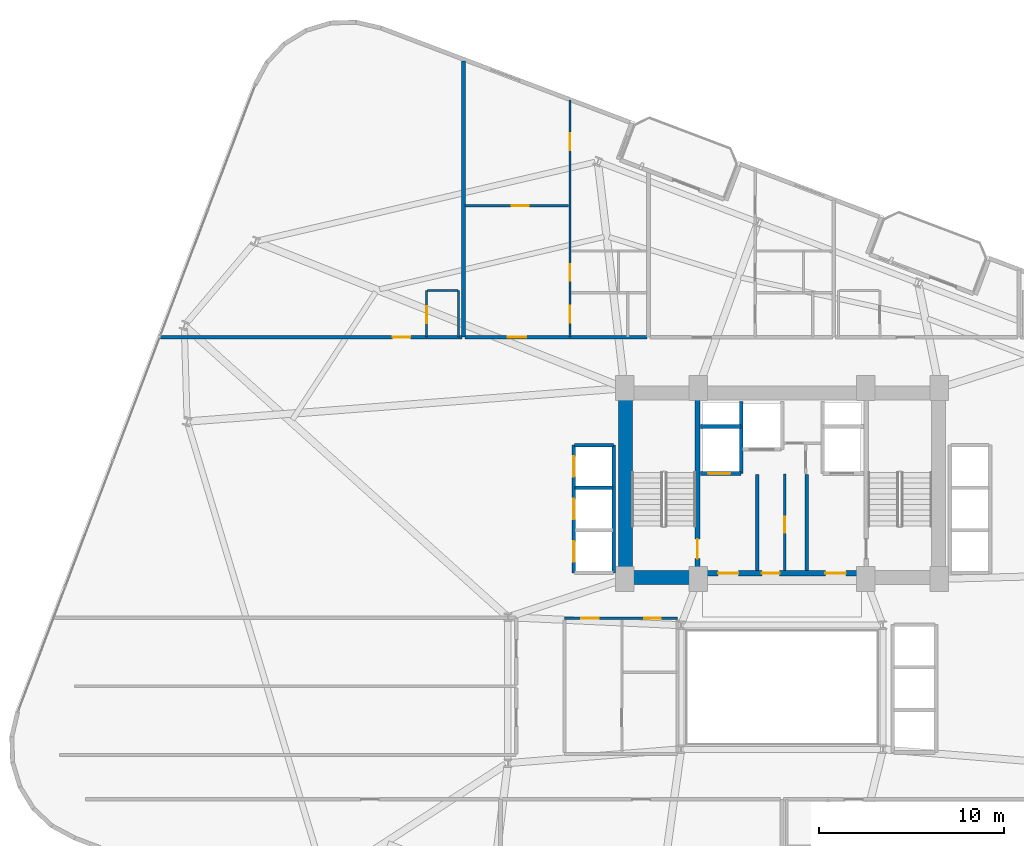
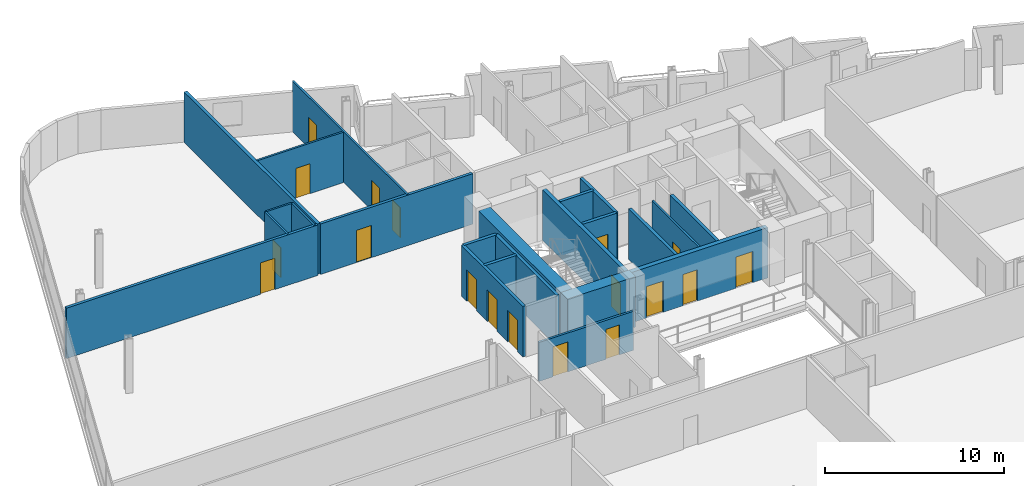
# One storey, part 18 of 24: 23 walls, 18 doors, 18 openings.
"""IFC4 building model written with IfcOpenShell, lengths in metres."""

from ifc_helpers import new_model, si_unit, direction, frame, frame_2d, origin, place, context, subcontext, project, spatial, rectangle, extrude, material, layer, layer_set, type_object, element, fill, save


model = new_model("IFC4")

# Units and contexts
model_context = context("Model", 3, precision=1e-05, world=origin(), true_north=direction((0.0, 1.0)))
body_context = subcontext(model_context, "Body", "Model", "MODEL_VIEW")
ifc_project = project(units=[si_unit("LENGTHUNIT", "METRE"), si_unit("AREAUNIT", "SQUARE_METRE"), si_unit("VOLUMEUNIT", "CUBIC_METRE"), si_unit("PLANEANGLEUNIT", "RADIAN"), si_unit("MASSUNIT", "GRAM", prefix="KILO")], contexts=[model_context])

# Site, building, storey
site_placement = place(None, origin())
site = spatial("IfcSite", under=ifc_project, at=site_placement, CompositionType="ELEMENT")
building_placement = place(site_placement, origin())
building = spatial("IfcBuilding", under=site, at=building_placement, Name="Varnelok Gate Tower", CompositionType="ELEMENT")
storey_placement = place(building_placement, frame((0.0, 0.0, 102.10009765625)))
storey = spatial("IfcBuildingStorey", under=building, at=storey_placement, Name="L25", CompositionType="ELEMENT", Elevation=102.10009765625)

# Wall, opening, door
ifc_material_1 = material(Name="Gypsum Plasterboard Acoustic Partition", Category="gypsum")
ifc_layer_1 = layer(ifc_material_1, 0.179931640625)
ifc_layer_set_1 = layer_set([ifc_layer_1], Name="Gypsum Plasterboard Acoustic Partition")
wall_type_1 = type_object("IfcWallType", Name="PW-CORR-180", PredefinedType="PARTITIONING", material=ifc_layer_set_1)
wall_1_placement = place(storey_placement, frame((5.64599609375, 41.800048828125, 0.0), z_axis=(0.0, 0.0, 1.0), x_axis=(1.0, 0.0, 0.0)))
wall_1 = element("IfcWall", 1, at=wall_1_placement, inside=storey, type_object=wall_type_1, Name="Interior Partition", PredefinedType="PARTITIONING", context=body_context, shape_type="SweptSolid", body=[
    extrude(rectangle(XDim=16.27392578125, YDim=0.179931640625, at=frame_2d((8.136962890625, 0.0))), origin(), (0.0, 0.0, 1.0), 3.449951171875),
])
opening_1_placement = place(wall_1_placement, frame((12.5341796875, 0.0, 0.0)))
opening_1 = element("IfcOpeningElement", 2, at=opening_1_placement, cuts=wall_1, Name="Opening D-HT", PredefinedType="OPENING", context=body_context, shape_type="SweptSolid", body=[
    extrude(rectangle(XDim=0.949951171875, YDim=2.14990234375, at=frame_2d((0.47509765625, 1.074951171875))), frame((0.0, 0.099853515625, 0.0), z_axis=(0.0, -1.0, 0.0), x_axis=(1.0, 0.0, 0.0)), (0.0, 0.0, 1.0), 0.199951171875),
])
ifc_material_2 = material(Name="Engineered Hardwood Timber", Category="wood")
door_type_1 = type_object("IfcDoorType", Name="DR-HTL-950", OperationType="NOTDEFINED", PredefinedType="DOOR", material=ifc_material_2)
door_1_placement = place(opening_1_placement, origin())
door_1 = element("IfcDoor", 3, at=door_1_placement, inside=storey, type_object=door_type_1, Name="L25 Guest Room 05 Entrance Door", OperationType="SINGLE_SWING_RIGHT", OverallHeight=2.14990234375, OverallWidth=0.949951171875, PredefinedType="DOOR", context=body_context, shape_type="SweptSolid", body=[
    extrude(rectangle(XDim=0.949951171875, YDim=2.14990234375, at=frame_2d((0.47509765625, 1.074951171875))), frame((0.0, 0.02490234375, 0.0), z_axis=(0.0, -1.0, 0.0), x_axis=(1.0, 0.0, 0.0)), (0.0, 0.0, 1.0), 0.050048828125),
])
fill(opening_1, door_1)

wall_2_placement = place(storey_placement, frame((22.080078125, 41.800048828125, 0.0), z_axis=(0.0, 0.0, 1.0), x_axis=(1.0, 0.0, 0.0)))
wall_2 = element("IfcWall", 4, at=wall_2_placement, inside=storey, type_object=wall_type_1, Name="Interior Partition", PredefinedType="PARTITIONING", context=body_context, shape_type="SweptSolid", body=[
    extrude(rectangle(XDim=9.83984375, YDim=0.179931640625, at=frame_2d((4.919921875, 0.0))), origin(), (0.0, 0.0, 1.0), 3.449951171875),
])
opening_2_placement = place(wall_2_placement, frame((2.302490234375, 0.0, 0.0)))
opening_2 = element("IfcOpeningElement", 5, at=opening_2_placement, cuts=wall_2, Name="Opening D-AP", PredefinedType="OPENING", context=body_context, shape_type="SweptSolid", body=[
    extrude(rectangle(XDim=1.0, YDim=2.199951171875, at=frame_2d((0.5, 1.10009765625))), frame((0.0, 0.099853515625, 0.0), z_axis=(0.0, -1.0, 0.0), x_axis=(1.0, 0.0, 0.0)), (0.0, 0.0, 1.0), 0.199951171875),
])
door_type_2 = type_object("IfcDoorType", Name="DR-APT-1000", OperationType="NOTDEFINED", PredefinedType="DOOR", material=ifc_material_2)
door_2_placement = place(opening_2_placement, origin())
door_2 = element("IfcDoor", 6, at=door_2_placement, inside=storey, type_object=door_type_2, Name="L25 North Apartment 6 Entrance Door", OperationType="SINGLE_SWING_RIGHT", OverallHeight=2.199951171875, OverallWidth=1.0, PredefinedType="DOOR", context=body_context, shape_type="SweptSolid", body=[
    extrude(rectangle(XDim=1.0, YDim=2.199951171875, at=frame_2d((0.5, 1.10009765625))), frame((0.0, 0.02490234375, 0.0), z_axis=(0.0, -1.0, 0.0), x_axis=(1.0, 0.0, 0.0)), (0.0, 0.0, 1.0), 0.050048828125),
])
fill(opening_2, door_2)

# Wall
ifc_layer_2 = layer(ifc_material_1, 0.114990234375)
ifc_layer_set_2 = layer_set([ifc_layer_2], Name="Gypsum Plasterboard Acoustic Partition")
wall_type_2 = type_object("IfcWallType", Name="PW-ENS-125", PredefinedType="PARTITIONING", material=ifc_layer_set_2)
wall_3_placement = place(storey_placement, frame((20.050048828125, 44.320068359375, 0.0), z_axis=(0.0, 0.0, 1.0), x_axis=(1.0, 0.0, 0.0)))
element("IfcWall", 7, at=wall_3_placement, inside=storey, type_object=wall_type_2, Name="Interior Partition", PredefinedType="PARTITIONING", context=body_context, shape_type="SweptSolid", body=[
    extrude(rectangle(XDim=1.64990234375, YDim=0.114990234375, at=frame_2d((0.824951171875, 0.0))), origin(), (0.0, 0.0, 1.0), 3.449951171875),
])

# Wall, opening, door
wall_4_placement = place(storey_placement, frame((20.010009765625, 41.800048828125, 0.0), z_axis=(0.0, 0.0, 1.0), x_axis=(0.0, 1.0, 0.0)))
wall_4 = element("IfcWall", 8, at=wall_4_placement, inside=storey, type_object=wall_type_2, Name="Interior Partition", PredefinedType="PARTITIONING", context=body_context, shape_type="SweptSolid", body=[
    extrude(rectangle(XDim=2.52001953125, YDim=0.114990234375, at=frame_2d((1.260009765625, 0.0))), origin(), (0.0, 0.0, 1.0), 3.449951171875),
])
opening_3_placement = place(wall_4_placement, frame((0.760009765625, 0.0, 0.0)))
opening_3 = element("IfcOpeningElement", 9, at=opening_3_placement, cuts=wall_4, Name="Opening D-WC", PredefinedType="OPENING", context=body_context, shape_type="SweptSolid", body=[
    extrude(rectangle(XDim=0.89990234375, YDim=2.050048828125, at=frame_2d((0.449951171875, 1.02490234375))), frame((0.0, 0.0673828125, 0.0), z_axis=(0.0, -1.0, 0.0), x_axis=(1.0, 0.0, 0.0)), (0.0, 0.0, 1.0), 0.135009765625),
])
door_type_3 = type_object("IfcDoorType", Name="DR-BATH-900", OperationType="NOTDEFINED", PredefinedType="DOOR", material=ifc_material_2)
door_3_placement = place(opening_3_placement, origin())
door_3 = element("IfcDoor", 10, at=door_3_placement, inside=storey, type_object=door_type_3, Name="L25 North En-Suite 05 Door", OperationType="SINGLE_SWING_LEFT", OverallHeight=2.050048828125, OverallWidth=0.89990234375, PredefinedType="DOOR", context=body_context, shape_type="SweptSolid", body=[
    extrude(rectangle(XDim=0.89990234375, YDim=2.050048828125, at=frame_2d((0.449951171875, 1.02490234375))), frame((0.0, 0.02490234375, 0.0), z_axis=(0.0, -1.0, 0.0), x_axis=(1.0, 0.0, 0.0)), (0.0, 0.0, 1.0), 0.050048828125),
])
fill(opening_3, door_3)

# Wall
wall_5_placement = place(storey_placement, frame((21.739990234375, 41.800048828125, 0.0), z_axis=(0.0, 0.0, 1.0), x_axis=(0.0, 1.0, 0.0)))
element("IfcWall", 11, at=wall_5_placement, inside=storey, type_object=wall_type_2, Name="Interior Partition", PredefinedType="PARTITIONING", context=body_context, shape_type="SweptSolid", body=[
    extrude(rectangle(XDim=2.52001953125, YDim=0.114990234375, at=frame_2d((1.260009765625, 0.0))), origin(), (0.0, 0.0, 1.0), 3.449951171875),
])

# Wall, opening, door
ifc_layer_3 = layer(ifc_material_1, 0.125)
ifc_layer_set_3 = layer_set([ifc_layer_3], Name="Gypsum Plasterboard Acoustic Partition")
wall_type_3 = type_object("IfcWallType", Name="PW-PART-125", PredefinedType="PARTITIONING", material=ifc_layer_set_3)
wall_6_placement = place(storey_placement, frame((22.080078125, 48.89990234375, 0.0), z_axis=(0.0, 0.0, 1.0), x_axis=(1.0, 0.0, 0.0)))
wall_6 = element("IfcWall", 12, at=wall_6_placement, inside=storey, type_object=wall_type_3, Name="Interior Partition", PredefinedType="PARTITIONING", context=body_context, shape_type="SweptSolid", body=[
    extrude(rectangle(XDim=5.605224609375, YDim=0.125, at=frame_2d((2.802734375, 0.0))), origin(), (0.0, 0.0, 1.0), 3.449951171875),
])
opening_4_placement = place(wall_6_placement, frame((2.522216796875, 0.0, 0.0)))
opening_4 = element("IfcOpeningElement", 13, at=opening_4_placement, cuts=wall_6, Name="Opening D-I3", PredefinedType="OPENING", context=body_context, shape_type="SweptSolid", body=[
    extrude(rectangle(XDim=0.919921875, YDim=2.050048828125, at=frame_2d((0.4599609375, 1.02490234375))), frame((0.0, 0.072509765625, 0.0), z_axis=(0.0, -1.0, 0.0), x_axis=(1.0, 0.0, 0.0)), (0.0, 0.0, 1.0), 0.14501953125),
])
door_type_4 = type_object("IfcDoorType", Name="DR-INT-920", OperationType="NOTDEFINED", PredefinedType="DOOR", material=ifc_material_2)
door_4_placement = place(opening_4_placement, origin())
door_4 = element("IfcDoor", 14, at=door_4_placement, inside=storey, type_object=door_type_4, Name="L25 North Apt 6 Study Door", OperationType="SINGLE_SWING_RIGHT", OverallHeight=2.050048828125, OverallWidth=0.919921875, PredefinedType="DOOR", context=body_context, shape_type="SweptSolid", body=[
    extrude(rectangle(XDim=0.919921875, YDim=2.050048828125, at=frame_2d((0.4599609375, 1.02490234375))), frame((0.0, 0.02490234375, 0.0), z_axis=(0.0, -1.0, 0.0), x_axis=(1.0, 0.0, 0.0)), (0.0, 0.0, 1.0), 0.050048828125),
])
fill(opening_4, door_4)

# Wall, openings, doors
wall_7_placement = place(storey_placement, frame((27.755126953125, 41.800048828125, 0.0), z_axis=(0.0, 0.0, 1.0), x_axis=(0.0, 1.0, 0.0)))
wall_7 = element("IfcWall", 15, at=wall_7_placement, inside=storey, type_object=wall_type_3, Name="Interior Partition", PredefinedType="PARTITIONING", context=body_context, shape_type="SweptSolid", body=[
    extrude(rectangle(XDim=12.810791015625, YDim=0.125, at=frame_2d((6.4052734375, 0.0))), origin(), (0.0, 0.0, 1.0), 3.449951171875),
])
opening_5_placement = place(wall_7_placement, frame((0.785400390625, 0.0, 0.0)))
opening_5 = element("IfcOpeningElement", 16, at=opening_5_placement, cuts=wall_7, Name="Opening D-I3", PredefinedType="OPENING", context=body_context, shape_type="SweptSolid", body=[
    extrude(rectangle(XDim=0.919921875, YDim=2.050048828125, at=frame_2d((0.4599609375, 1.02490234375))), frame((0.0, 0.072509765625, 0.0), z_axis=(0.0, -1.0, 0.0), x_axis=(1.0, 0.0, 0.0)), (0.0, 0.0, 1.0), 0.14501953125),
])
opening_6_placement = place(wall_7_placement, frame((3.037353515625, 0.0, 0.0)))
opening_6 = element("IfcOpeningElement", 17, at=opening_6_placement, cuts=wall_7, Name="Opening D-WC", PredefinedType="OPENING", context=body_context, shape_type="SweptSolid", body=[
    extrude(rectangle(XDim=0.89990234375, YDim=2.050048828125, at=frame_2d((0.449951171875, 1.02490234375))), frame((0.0, 0.072509765625, 0.0), z_axis=(0.0, -1.0, 0.0), x_axis=(1.0, 0.0, 0.0)), (0.0, 0.0, 1.0), 0.14501953125),
])
opening_7_placement = place(wall_7_placement, frame((10.089111328125, 0.0, 0.0)))
opening_7 = element("IfcOpeningElement", 18, at=opening_7_placement, cuts=wall_7, Name="Opening D-I3", PredefinedType="OPENING", context=body_context, shape_type="SweptSolid", body=[
    extrude(rectangle(XDim=0.919921875, YDim=2.050048828125, at=frame_2d((0.4599609375, 1.02490234375))), frame((0.0, 0.072509765625, 0.0), z_axis=(0.0, -1.0, 0.0), x_axis=(1.0, 0.0, 0.0)), (0.0, 0.0, 1.0), 0.14501953125),
])
door_5_placement = place(opening_6_placement, origin())
door_5 = element("IfcDoor", 19, at=door_5_placement, inside=storey, type_object=door_type_3, Name="L25 North Apt 6 Bathroom Door", OperationType="SINGLE_SWING_RIGHT", OverallHeight=2.050048828125, OverallWidth=0.89990234375, PredefinedType="DOOR", context=body_context, shape_type="SweptSolid", body=[
    extrude(rectangle(XDim=0.89990234375, YDim=2.050048828125, at=frame_2d((0.449951171875, 1.02490234375))), frame((0.0, 0.02490234375, 0.0), z_axis=(0.0, -1.0, 0.0), x_axis=(1.0, 0.0, 0.0)), (0.0, 0.0, 1.0), 0.050048828125),
])
fill(opening_6, door_5)
door_6_placement = place(opening_5_placement, origin())
door_6 = element("IfcDoor", 20, at=door_6_placement, inside=storey, type_object=door_type_4, Name="L25 North Apt 6 Kitchen Door", OperationType="SINGLE_SWING_LEFT", OverallHeight=2.050048828125, OverallWidth=0.919921875, PredefinedType="DOOR", context=body_context, shape_type="SweptSolid", body=[
    extrude(rectangle(XDim=0.919921875, YDim=2.050048828125, at=frame_2d((0.4599609375, 1.02490234375))), frame((0.0, 0.02490234375, 0.0), z_axis=(0.0, -1.0, 0.0), x_axis=(1.0, 0.0, 0.0)), (0.0, 0.0, 1.0), 0.050048828125),
])
fill(opening_5, door_6)
door_7_placement = place(opening_7_placement, origin())
door_7 = element("IfcDoor", 21, at=door_7_placement, inside=storey, type_object=door_type_4, Name="L25 North Apt 6 Bedroom Door", OperationType="SINGLE_SWING_LEFT", OverallHeight=2.050048828125, OverallWidth=0.919921875, PredefinedType="DOOR", context=body_context, shape_type="SweptSolid", body=[
    extrude(rectangle(XDim=0.919921875, YDim=2.050048828125, at=frame_2d((0.4599609375, 1.02490234375))), frame((0.0, 0.02490234375, 0.0), z_axis=(0.0, -1.0, 0.0), x_axis=(1.0, 0.0, 0.0)), (0.0, 0.0, 1.0), 0.050048828125),
])
fill(opening_7, door_7)

# Wall, opening, door
wall_8_placement = place(storey_placement, frame((39.35009765625, 29.199951171875, 0.0), z_axis=(0.0, 0.0, 1.0), x_axis=(0.0, 1.0, 0.0)))
wall_8 = element("IfcWall", 22, at=wall_8_placement, inside=storey, type_object=wall_type_3, Name="Interior Partition", PredefinedType="PARTITIONING", context=body_context, shape_type="SweptSolid", body=[
    extrude(rectangle(XDim=5.219970703125, YDim=0.125, at=frame_2d((2.60986328125, 0.0))), origin(), (0.0, 0.0, 1.0), 3.449951171875),
])
opening_8_placement = place(wall_8_placement, frame((2.050048828125, 0.0, 0.0)))
opening_8 = element("IfcOpeningElement", 23, at=opening_8_placement, cuts=wall_8, Name="Opening D-RS", PredefinedType="OPENING", context=body_context, shape_type="SweptSolid", body=[
    extrude(rectangle(XDim=0.85009765625, YDim=2.050048828125, at=frame_2d((0.425048828125, 1.02490234375))), frame((0.0, 0.072509765625, 0.0), z_axis=(0.0, -1.0, 0.0), x_axis=(1.0, 0.0, 0.0)), (0.0, 0.0, 1.0), 0.14501953125),
])
ifc_material_3 = material(Name="Galvanized Steel Grade S350GD", Category="steel")
door_type_5 = type_object("IfcDoorType", Name="DR-RISER-850", OperationType="NOTDEFINED", PredefinedType="DOOR", material=ifc_material_3)
door_8_placement = place(opening_8_placement, origin())
door_8 = element("IfcDoor", 24, at=door_8_placement, inside=storey, type_object=door_type_5, Name="L25 Housekeeping Linen Door", OperationType="SINGLE_SWING_RIGHT", OverallHeight=2.050048828125, OverallWidth=0.85009765625, PredefinedType="DOOR", context=body_context, shape_type="SweptSolid", body=[
    extrude(rectangle(XDim=0.85009765625, YDim=2.050048828125, at=frame_2d((0.425048828125, 1.02490234375))), frame((0.0, 0.02490234375, 0.0), z_axis=(0.0, -1.0, 0.0), x_axis=(1.0, 0.0, 0.0)), (0.0, 0.0, 1.0), 0.050048828125),
])
fill(opening_8, door_8)

# Wall, openings, doors
ifc_layer_4 = layer(ifc_material_1, 0.14990234375)
ifc_layer_set_4 = layer_set([ifc_layer_4], Name="Gypsum Plasterboard Acoustic Partition")
wall_type_4 = type_object("IfcWallType", Name="PW-PART-150", PredefinedType="PARTITIONING", material=ifc_layer_set_4)
wall_9_placement = place(storey_placement, frame((27.4599609375, 26.6201171875, 0.0), z_axis=(0.0, 0.0, 1.0), x_axis=(1.0, 0.0, 0.0)))
wall_9 = element("IfcWall", 25, at=wall_9_placement, inside=storey, type_object=wall_type_4, Name="Interior Partition", PredefinedType="PARTITIONING", context=body_context, shape_type="SweptSolid", body=[
    extrude(rectangle(XDim=6.10009765625, YDim=0.14990234375, at=frame_2d((3.050048828125, 0.0))), origin(), (0.0, 0.0, 1.0), 2.661865234375),
])
opening_9_placement = place(wall_9_placement, frame((0.89990234375, 0.0, 0.0)))
opening_9 = element("IfcOpeningElement", 26, at=opening_9_placement, cuts=wall_9, Name="Opening D-I2", PredefinedType="OPENING", context=body_context, shape_type="SweptSolid", body=[
    extrude(rectangle(XDim=0.949951171875, YDim=2.050048828125, at=frame_2d((0.47509765625, 1.02490234375))), frame((0.0, 0.0849609375, 0.0), z_axis=(0.0, -1.0, 0.0), x_axis=(1.0, 0.0, 0.0)), (0.0, 0.0, 1.0), 0.169921875),
])
opening_10_placement = place(wall_9_placement, frame((4.302978515625, 0.0, 0.0)))
opening_10 = element("IfcOpeningElement", 27, at=opening_10_placement, cuts=wall_9, Name="Opening D-WC", PredefinedType="OPENING", context=body_context, shape_type="SweptSolid", body=[
    extrude(rectangle(XDim=0.89990234375, YDim=2.050048828125, at=frame_2d((0.449951171875, 1.02490234375))), frame((0.0, 0.0849609375, 0.0), z_axis=(0.0, -1.0, 0.0), x_axis=(1.0, 0.0, 0.0)), (0.0, 0.0, 1.0), 0.169921875),
])
door_9_placement = place(opening_10_placement, origin())
door_9 = element("IfcDoor", 28, at=door_9_placement, inside=storey, type_object=door_type_3, Name="L25 Accessible Floor WC Door", OperationType="SINGLE_SWING_LEFT", OverallHeight=2.050048828125, OverallWidth=0.89990234375, PredefinedType="DOOR", context=body_context, shape_type="SweptSolid", body=[
    extrude(rectangle(XDim=0.89990234375, YDim=2.050048828125, at=frame_2d((0.449951171875, 1.02490234375))), frame((0.0, 0.02490234375, 0.0), z_axis=(0.0, -1.0, 0.0), x_axis=(1.0, 0.0, 0.0)), (0.0, 0.0, 1.0), 0.050048828125),
])
fill(opening_10, door_9)
door_type_6 = type_object("IfcDoorType", Name="DR-INT-950", OperationType="NOTDEFINED", PredefinedType="DOOR", material=ifc_material_2)
door_10_placement = place(opening_9_placement, origin())
door_10 = element("IfcDoor", 29, at=door_10_placement, inside=storey, type_object=door_type_6, Name="L25 Spa Treatment Suite Door", OperationType="SINGLE_SWING_RIGHT", OverallHeight=2.050048828125, OverallWidth=0.949951171875, PredefinedType="DOOR", context=body_context, shape_type="SweptSolid", body=[
    extrude(rectangle(XDim=0.949951171875, YDim=2.050048828125, at=frame_2d((0.47509765625, 1.02490234375))), frame((0.0, 0.02490234375, 0.0), z_axis=(0.0, -1.0, 0.0), x_axis=(1.0, 0.0, 0.0)), (0.0, 0.0, 1.0), 0.050048828125),
])
fill(opening_9, door_10)

# Walls
ifc_layer_5 = layer(ifc_material_1, 0.205078125)
ifc_layer_set_5 = layer_set([ifc_layer_5], Name="Gypsum Plasterboard Acoustic Partition")
wall_type_5 = type_object("IfcWallType", Name="PW-PARTY-200", PredefinedType="PARTITIONING", material=ifc_layer_set_5)
wall_10_placement = place(storey_placement, frame((22.0, 41.800048828125, 0.0), z_axis=(0.0, 0.0, 1.0), x_axis=(0.0, 1.0, 0.0)))
element("IfcWall", 30, at=wall_10_placement, inside=storey, type_object=wall_type_5, Name="L25 North Party Wall 1", PredefinedType="PARTITIONING", context=body_context, shape_type="SweptSolid", body=[
    extrude(rectangle(XDim=14.906005859375, YDim=0.205078125, at=frame_2d((7.453125, 0.0))), origin(), (0.0, 0.0, 1.0), 3.449951171875),
])
ifc_material_4 = material(Name="Concrete C35/45", Category="concrete")
ifc_layer_6 = layer(ifc_material_4, 0.199951171875)
ifc_layer_set_6 = layer_set([ifc_layer_6], Name="Concrete C35/45")
wall_type_6 = type_object("IfcWallType", Name="PW-SHAFT-200", PredefinedType="PARTITIONING", material=ifc_layer_set_6)
for number, where, z_axis, x_axis, name in (
    (31, (37.860107421875, 29.199951171875, 0.0), (0.0, 0.0, 1.0), (0.0, 1.0, 0.0), "L25 West FF Lobby Rated Wall"),
    (32, (40.5400390625, 29.199951171875, 0.0), (0.0, 0.0, 1.0), (0.0, 1.0, 0.0), "L25 East FF Lobby Rated Wall"),
):
    element("IfcWall", number, at=place(storey_placement, frame(where, z_axis=z_axis, x_axis=x_axis)), inside=storey, type_object=wall_type_6, Name=name, PredefinedType="PARTITIONING", context=body_context, shape_type="SweptSolid", body=[
        extrude(rectangle(XDim=5.179931640625, YDim=0.199951171875, at=frame_2d((2.58984375, 0.0))), origin(), (0.0, 0.0, 1.0), 3.449951171875),
    ])

# Wall, opening, door
wall_11_placement = place(storey_placement, frame((34.800048828125, 34.43994140625, 0.0), z_axis=(0.0, 0.0, 1.0), x_axis=(1.0, 0.0, 0.0)))
wall_11 = element("IfcWall", 33, at=wall_11_placement, inside=storey, type_object=wall_type_6, Name="L25 FF1 Shaft Front Wall", PredefinedType="PARTITIONING", context=body_context, shape_type="SweptSolid", body=[
    extrude(rectangle(XDim=2.179931640625, YDim=0.199951171875, at=frame_2d((1.08984375, 0.0))), origin(), (0.0, 0.0, 1.0), 3.449951171875),
])
opening_11_placement = place(wall_11_placement, frame((0.419921875, 0.0, 0.0)))
opening_11 = element("IfcOpeningElement", 34, at=opening_11_placement, cuts=wall_11, Name="Opening LD-FF1", PredefinedType="OPENING", context=body_context, shape_type="SweptSolid", body=[
    extrude(rectangle(XDim=1.199951171875, YDim=2.199951171875, at=frame_2d((0.60009765625, 1.10009765625))), frame((0.0, 0.10986328125, 0.0), z_axis=(0.0, -1.0, 0.0), x_axis=(1.0, 0.0, 0.0)), (0.0, 0.0, 1.0), 0.219970703125),
])
door_type_7 = type_object("IfcDoorType", Name="DR-LIFT-FF1200", OperationType="SLIDING_TO_LEFT", PredefinedType="DOOR", material=ifc_material_3)
door_11_placement = place(opening_11_placement, origin())
door_11 = element("IfcDoor", 35, at=door_11_placement, inside=storey, type_object=door_type_7, Name="L25 Firefighting Lift Landing Door LD-FF1", OperationType="SLIDING_TO_LEFT", OverallHeight=2.199951171875, OverallWidth=1.199951171875, PredefinedType="DOOR", context=body_context, shape_type="SweptSolid", body=[
    extrude(rectangle(XDim=1.199951171875, YDim=2.199951171875, at=frame_2d((0.60009765625, 1.10009765625))), frame((0.0, 0.02490234375, 0.0), z_axis=(0.0, -1.0, 0.0), x_axis=(1.0, 0.0, 0.0)), (0.0, 0.0, 1.0), 0.050048828125),
])
fill(opening_11, door_11)

# Walls
wall_12_placement = place(storey_placement, frame((34.800048828125, 36.97998046875, 0.0), z_axis=(0.0, 0.0, 1.0), x_axis=(1.0, 0.0, 0.0)))
element("IfcWall", 36, at=wall_12_placement, inside=storey, type_object=wall_type_6, Name="L25 FF1 Shaft North Wall", PredefinedType="PARTITIONING", context=body_context, shape_type="SweptSolid", body=[
    extrude(rectangle(XDim=2.179931640625, YDim=0.199951171875, at=frame_2d((1.08984375, 0.0))), origin(), (0.0, 0.0, 1.0), 3.449951171875),
])
wall_13_placement = place(storey_placement, frame((37.0, 34.43994140625, 0.0), z_axis=(0.0, 0.0, 1.0), x_axis=(0.0, 1.0, 0.0)))
element("IfcWall", 37, at=wall_13_placement, inside=storey, type_object=wall_type_6, Name="L25 FF1 Shaft Side Wall", PredefinedType="PARTITIONING", context=body_context, shape_type="SweptSolid", body=[
    extrude(rectangle(XDim=3.900146484375, YDim=0.199951171875, at=frame_2d((1.9501953125, 0.0))), origin(), (0.0, 0.0, 1.0), 3.449951171875),
])
wall_14_placement = place(storey_placement, frame((28.02001953125, 33.675048828125, 0.0), z_axis=(0.0, 0.0, 1.0), x_axis=(1.0, 0.0, 0.0)))
element("IfcWall", 38, at=wall_14_placement, inside=storey, type_object=wall_type_6, Name="L25 PL2 Divider", PredefinedType="PARTITIONING", context=body_context, shape_type="SweptSolid", body=[
    extrude(rectangle(XDim=2.06005859375, YDim=0.199951171875, at=frame_2d((1.030029296875, 0.0))), origin(), (0.0, 0.0, 1.0), 3.449951171875),
])
wall_15_placement = place(storey_placement, frame((28.0, 35.969970703125, 0.0), z_axis=(0.0, 0.0, 1.0), x_axis=(1.0, 0.0, 0.0)))
element("IfcWall", 39, at=wall_15_placement, inside=storey, type_object=wall_type_6, Name="L25 PL Bank North Wall", PredefinedType="PARTITIONING", context=body_context, shape_type="SweptSolid", body=[
    extrude(rectangle(XDim=2.10009765625, YDim=0.199951171875, at=frame_2d((1.050048828125, 0.0))), origin(), (0.0, 0.0, 1.0), 3.449951171875),
])
wall_16_placement = place(storey_placement, frame((30.1201171875, 29.080078125, 0.0), z_axis=(0.0, 0.0, 1.0), x_axis=(0.0, 1.0, 0.0)))
element("IfcWall", 40, at=wall_16_placement, inside=storey, type_object=wall_type_6, Name="L25 PL Bank Back Wall", PredefinedType="PARTITIONING", context=body_context, shape_type="SweptSolid", body=[
    extrude(rectangle(XDim=6.889892578125, YDim=0.199951171875, at=frame_2d((3.44482421875, 0.0))), origin(), (0.0, 0.0, 1.0), 3.449951171875),
])

# Wall, openings, doors
wall_17_placement = place(storey_placement, frame((27.9599609375, 29.080078125, 0.0), z_axis=(0.0, 0.0, 1.0), x_axis=(0.0, 1.0, 0.0)))
wall_17 = element("IfcWall", 41, at=wall_17_placement, inside=storey, type_object=wall_type_6, Name="L25 PL Bank Front Wall", PredefinedType="PARTITIONING", context=body_context, shape_type="SweptSolid", body=[
    extrude(rectangle(XDim=6.889892578125, YDim=0.199951171875, at=frame_2d((3.44482421875, 0.0))), origin(), (0.0, 0.0, 1.0), 3.449951171875),
])
opening_12_placement = place(wall_17_placement, frame((0.590087890625, 0.0, 0.0)))
opening_12 = element("IfcOpeningElement", 42, at=opening_12_placement, cuts=wall_17, Name="Opening LD-PL1", PredefinedType="OPENING", context=body_context, shape_type="SweptSolid", body=[
    extrude(rectangle(XDim=1.10009765625, YDim=2.14990234375, at=frame_2d((0.550048828125, 1.074951171875))), frame((0.0, 0.10986328125, 0.0), z_axis=(0.0, -1.0, 0.0), x_axis=(1.0, 0.0, 0.0)), (0.0, 0.0, 1.0), 0.219970703125),
])
opening_13_placement = place(wall_17_placement, frame((2.889892578125, 0.0, 0.0)))
opening_13 = element("IfcOpeningElement", 43, at=opening_13_placement, cuts=wall_17, Name="Opening LD-PL2", PredefinedType="OPENING", context=body_context, shape_type="SweptSolid", body=[
    extrude(rectangle(XDim=1.10009765625, YDim=2.14990234375, at=frame_2d((0.550048828125, 1.074951171875))), frame((0.0, 0.10986328125, 0.0), z_axis=(0.0, -1.0, 0.0), x_axis=(1.0, 0.0, 0.0)), (0.0, 0.0, 1.0), 0.219970703125),
])
opening_14_placement = place(wall_17_placement, frame((5.18994140625, 0.0, 0.0)))
opening_14 = element("IfcOpeningElement", 44, at=opening_14_placement, cuts=wall_17, Name="Opening LD-PL3", PredefinedType="OPENING", context=body_context, shape_type="SweptSolid", body=[
    extrude(rectangle(XDim=1.10009765625, YDim=2.14990234375, at=frame_2d((0.550048828125, 1.074951171875))), frame((0.0, 0.10986328125, 0.0), z_axis=(0.0, -1.0, 0.0), x_axis=(1.0, 0.0, 0.0)), (0.0, 0.0, 1.0), 0.219970703125),
])
door_type_8 = type_object("IfcDoorType", Name="DR-LIFT-PAX1100", OperationType="SLIDING_TO_LEFT", PredefinedType="DOOR", material=ifc_material_3)
door_12_placement = place(opening_12_placement, origin())
door_12 = element("IfcDoor", 45, at=door_12_placement, inside=storey, type_object=door_type_8, Name="L25 Passenger Lift Landing Door LD-PL1", OperationType="SLIDING_TO_LEFT", OverallHeight=2.14990234375, OverallWidth=1.10009765625, PredefinedType="DOOR", context=body_context, shape_type="SweptSolid", body=[
    extrude(rectangle(XDim=1.10009765625, YDim=2.14990234375, at=frame_2d((0.550048828125, 1.074951171875))), frame((0.0, 0.02490234375, 0.0), z_axis=(0.0, -1.0, 0.0), x_axis=(1.0, 0.0, 0.0)), (0.0, 0.0, 1.0), 0.050048828125),
])
fill(opening_12, door_12)
door_13_placement = place(opening_13_placement, origin())
door_13 = element("IfcDoor", 46, at=door_13_placement, inside=storey, type_object=door_type_8, Name="L25 Passenger Lift Landing Door LD-PL2", OperationType="SLIDING_TO_LEFT", OverallHeight=2.14990234375, OverallWidth=1.10009765625, PredefinedType="DOOR", context=body_context, shape_type="SweptSolid", body=[
    extrude(rectangle(XDim=1.10009765625, YDim=2.14990234375, at=frame_2d((0.550048828125, 1.074951171875))), frame((0.0, 0.02490234375, 0.0), z_axis=(0.0, -1.0, 0.0), x_axis=(1.0, 0.0, 0.0)), (0.0, 0.0, 1.0), 0.050048828125),
])
fill(opening_13, door_13)
door_14_placement = place(opening_14_placement, origin())
door_14 = element("IfcDoor", 47, at=door_14_placement, inside=storey, type_object=door_type_8, Name="L25 Passenger Lift Landing Door LD-PL3", OperationType="SLIDING_TO_LEFT", OverallHeight=2.14990234375, OverallWidth=1.10009765625, PredefinedType="DOOR", context=body_context, shape_type="SweptSolid", body=[
    extrude(rectangle(XDim=1.10009765625, YDim=2.14990234375, at=frame_2d((0.550048828125, 1.074951171875))), frame((0.0, 0.02490234375, 0.0), z_axis=(0.0, -1.0, 0.0), x_axis=(1.0, 0.0, 0.0)), (0.0, 0.0, 1.0), 0.050048828125),
])
fill(opening_14, door_14)

# Walls
ifc_material_5 = material(Name="Concrete C70/85", Category="concrete")
ifc_layer_7 = layer(ifc_material_5, 0.75)
ifc_layer_set_7 = layer_set([ifc_layer_7], Name="Concrete C70/85")
wall_type_7 = type_object("IfcWallType", Name="SW-CORE-750", PredefinedType="SHEAR", material=ifc_layer_set_7)
wall_18_placement = place(storey_placement, frame((30.7548828125, 29.199951171875, 0.0), z_axis=(0.0, 0.0, 1.0), x_axis=(0.0, 1.0, 0.0)))
element("IfcWall", 48, at=wall_18_placement, inside=storey, type_object=wall_type_7, Name="L25 Rear Core West Shear Wall", PredefinedType="SHEAR", context=body_context, shape_type="SweptSolid", body=[
    extrude(rectangle(XDim=9.219970703125, YDim=0.75, at=frame_2d((4.60986328125, 0.0))), origin(), (0.0, 0.0, 1.0), 3.449951171875),
])
wall_19_placement = place(storey_placement, frame((30.3798828125, 28.824951171875, 0.0), z_axis=(0.0, 0.0, 1.0), x_axis=(1.0, 0.0, 0.0)))
element("IfcWall", 49, at=wall_19_placement, inside=storey, type_object=wall_type_7, Name="L25 Rear Core South-West Shear Wall", PredefinedType="SHEAR", context=body_context, shape_type="SweptSolid", body=[
    extrude(rectangle(XDim=4.420166015625, YDim=0.75, at=frame_2d((2.2099609375, 0.0))), origin(), (0.0, 0.0, 1.0), 3.449951171875),
])

# Wall, opening, door
ifc_material_6 = material(Name="Concrete C60/75", Category="concrete")
ifc_layer_8 = layer(ifc_material_6, 0.25)
ifc_layer_set_8 = layer_set([ifc_layer_8], Name="Concrete C60/75")
wall_type_8 = type_object("IfcWallType", Name="SW-SHAFT-250", PredefinedType="SHEAR", material=ifc_layer_set_8)
wall_20_placement = place(storey_placement, frame((34.639892578125, 29.199951171875, 0.0), z_axis=(0.0, 0.0, 1.0), x_axis=(0.0, 1.0, 0.0)))
wall_20 = element("IfcWall", 50, at=wall_20_placement, inside=storey, type_object=wall_type_8, Name="L25 Stair ST-1 East Shear Wall", PredefinedType="SHEAR", context=body_context, shape_type="SweptSolid", body=[
    extrude(rectangle(XDim=9.219970703125, YDim=0.25, at=frame_2d((4.60986328125, 0.0))), origin(), (0.0, 0.0, 1.0), 3.449951171875),
])
opening_15_placement = place(wall_20_placement, frame((0.64990234375, 0.0, 0.0)))
opening_15 = element("IfcOpeningElement", 51, at=opening_15_placement, cuts=wall_20, Name="Opening D-ST", PredefinedType="OPENING", context=body_context, shape_type="SweptSolid", body=[
    extrude(rectangle(XDim=1.050048828125, YDim=2.14990234375, at=frame_2d((0.52490234375, 1.074951171875))), frame((0.0, 0.135009765625, 0.0), z_axis=(0.0, -1.0, 0.0), x_axis=(1.0, 0.0, 0.0)), (0.0, 0.0, 1.0), 0.27001953125),
])
door_type_9 = type_object("IfcDoorType", Name="DR-STAIR-1050", OperationType="NOTDEFINED", PredefinedType="DOOR", material=ifc_material_3)
door_15_placement = place(opening_15_placement, origin())
door_15 = element("IfcDoor", 52, at=door_15_placement, inside=storey, type_object=door_type_9, Name="L25 Exit Stair ST-1 Fire Door", OperationType="SINGLE_SWING_LEFT", OverallHeight=2.14990234375, OverallWidth=1.050048828125, PredefinedType="DOOR", context=body_context, shape_type="SweptSolid", body=[
    extrude(rectangle(XDim=1.050048828125, YDim=2.14990234375, at=frame_2d((0.52490234375, 1.074951171875))), frame((0.0, 0.02490234375, 0.0), z_axis=(0.0, -1.0, 0.0), x_axis=(1.0, 0.0, 0.0)), (0.0, 0.0, 1.0), 0.050048828125),
])
fill(opening_15, door_15)

# Wall, openings, doors
ifc_layer_9 = layer(ifc_material_6, 0.300048828125)
ifc_layer_set_9 = layer_set([ifc_layer_9], Name="Concrete C60/75")
wall_type_9 = type_object("IfcWallType", Name="SW-SHAFT-300", PredefinedType="SHEAR", material=ifc_layer_set_9)
wall_21_placement = place(storey_placement, frame((34.800048828125, 29.050048828125, 0.0), z_axis=(0.0, 0.0, 1.0), x_axis=(1.0, 0.0, 0.0)))
wall_21 = element("IfcWall", 53, at=wall_21_placement, inside=storey, type_object=wall_type_9, Name="L25 Rear Core Central Lobby Shear Wall", PredefinedType="SHEAR", context=body_context, shape_type="SweptSolid", body=[
    extrude(rectangle(XDim=8.800048828125, YDim=0.300048828125, at=frame_2d((4.39990234375, 0.0))), origin(), (0.0, 0.0, 1.0), 3.449951171875),
])
opening_16_placement = place(wall_21_placement, frame((0.949951171875, 0.0, 0.0)))
opening_16 = element("IfcOpeningElement", 54, at=opening_16_placement, cuts=wall_21, Name="Opening D-FF", PredefinedType="OPENING", context=body_context, shape_type="SweptSolid", body=[
    extrude(rectangle(XDim=1.10009765625, YDim=2.14990234375, at=frame_2d((0.550048828125, 1.074951171875))), frame((0.0, 0.159912109375, 0.0), z_axis=(0.0, -1.0, 0.0), x_axis=(1.0, 0.0, 0.0)), (0.0, 0.0, 1.0), 0.320068359375),
])
opening_17_placement = place(wall_21_placement, frame((6.75, 0.0, 0.0)))
opening_17 = element("IfcOpeningElement", 55, at=opening_17_placement, cuts=wall_21, Name="Opening D-FF", PredefinedType="OPENING", context=body_context, shape_type="SweptSolid", body=[
    extrude(rectangle(XDim=1.10009765625, YDim=2.14990234375, at=frame_2d((0.550048828125, 1.074951171875))), frame((0.0, 0.159912109375, 0.0), z_axis=(0.0, -1.0, 0.0), x_axis=(1.0, 0.0, 0.0)), (0.0, 0.0, 1.0), 0.320068359375),
])
opening_18_placement = place(wall_21_placement, frame((3.320068359375, 0.0, 0.0)))
opening_18 = element("IfcOpeningElement", 56, at=opening_18_placement, cuts=wall_21, Name="Opening D-CR", PredefinedType="OPENING", context=body_context, shape_type="SweptSolid", body=[
    extrude(rectangle(XDim=0.949951171875, YDim=2.14990234375, at=frame_2d((0.47509765625, 1.074951171875))), frame((0.0, 0.159912109375, 0.0), z_axis=(0.0, -1.0, 0.0), x_axis=(1.0, 0.0, 0.0)), (0.0, 0.0, 1.0), 0.320068359375),
])
door_type_10 = type_object("IfcDoorType", Name="DR-CORR-950", OperationType="NOTDEFINED", PredefinedType="DOOR", material=ifc_material_3)
door_16_placement = place(opening_18_placement, origin())
door_16 = element("IfcDoor", 57, at=door_16_placement, inside=storey, type_object=door_type_10, Name="L25 Core Service Passage Door", OperationType="SINGLE_SWING_LEFT", OverallHeight=2.14990234375, OverallWidth=0.949951171875, PredefinedType="DOOR", context=body_context, shape_type="SweptSolid", body=[
    extrude(rectangle(XDim=0.949951171875, YDim=2.14990234375, at=frame_2d((0.47509765625, 1.074951171875))), frame((0.0, 0.02490234375, 0.0), z_axis=(0.0, -1.0, 0.0), x_axis=(1.0, 0.0, 0.0)), (0.0, 0.0, 1.0), 0.050048828125),
])
fill(opening_18, door_16)
door_type_11 = type_object("IfcDoorType", Name="DR-FFLOB-1100", OperationType="NOTDEFINED", PredefinedType="DOOR", material=ifc_material_3)
door_17_placement = place(opening_16_placement, origin())
door_17 = element("IfcDoor", 58, at=door_17_placement, inside=storey, type_object=door_type_11, Name="L25 West Firefighting Lobby Fire Door", OperationType="SINGLE_SWING_RIGHT", OverallHeight=2.14990234375, OverallWidth=1.10009765625, PredefinedType="DOOR", context=body_context, shape_type="SweptSolid", body=[
    extrude(rectangle(XDim=1.10009765625, YDim=2.14990234375, at=frame_2d((0.550048828125, 1.074951171875))), frame((0.0, 0.02490234375, 0.0), z_axis=(0.0, -1.0, 0.0), x_axis=(1.0, 0.0, 0.0)), (0.0, 0.0, 1.0), 0.050048828125),
])
fill(opening_16, door_17)
door_18_placement = place(opening_17_placement, origin())
door_18 = element("IfcDoor", 59, at=door_18_placement, inside=storey, type_object=door_type_11, Name="L25 East Firefighting Lobby Fire Door", OperationType="SINGLE_SWING_LEFT", OverallHeight=2.14990234375, OverallWidth=1.10009765625, PredefinedType="DOOR", context=body_context, shape_type="SweptSolid", body=[
    extrude(rectangle(XDim=1.10009765625, YDim=2.14990234375, at=frame_2d((0.550048828125, 1.074951171875))), frame((0.0, 0.02490234375, 0.0), z_axis=(0.0, -1.0, 0.0), x_axis=(1.0, 0.0, 0.0)), (0.0, 0.0, 1.0), 0.050048828125),
])
fill(opening_17, door_18)

save(model, "model.ifc")
